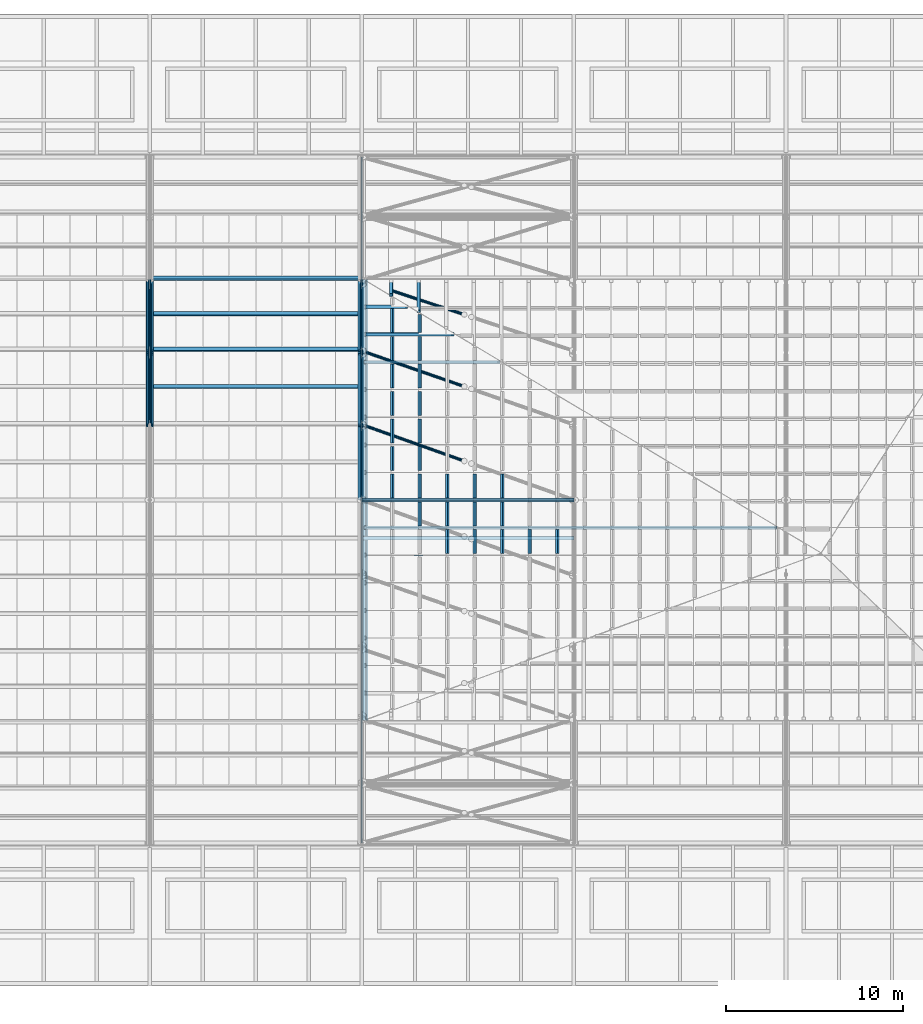
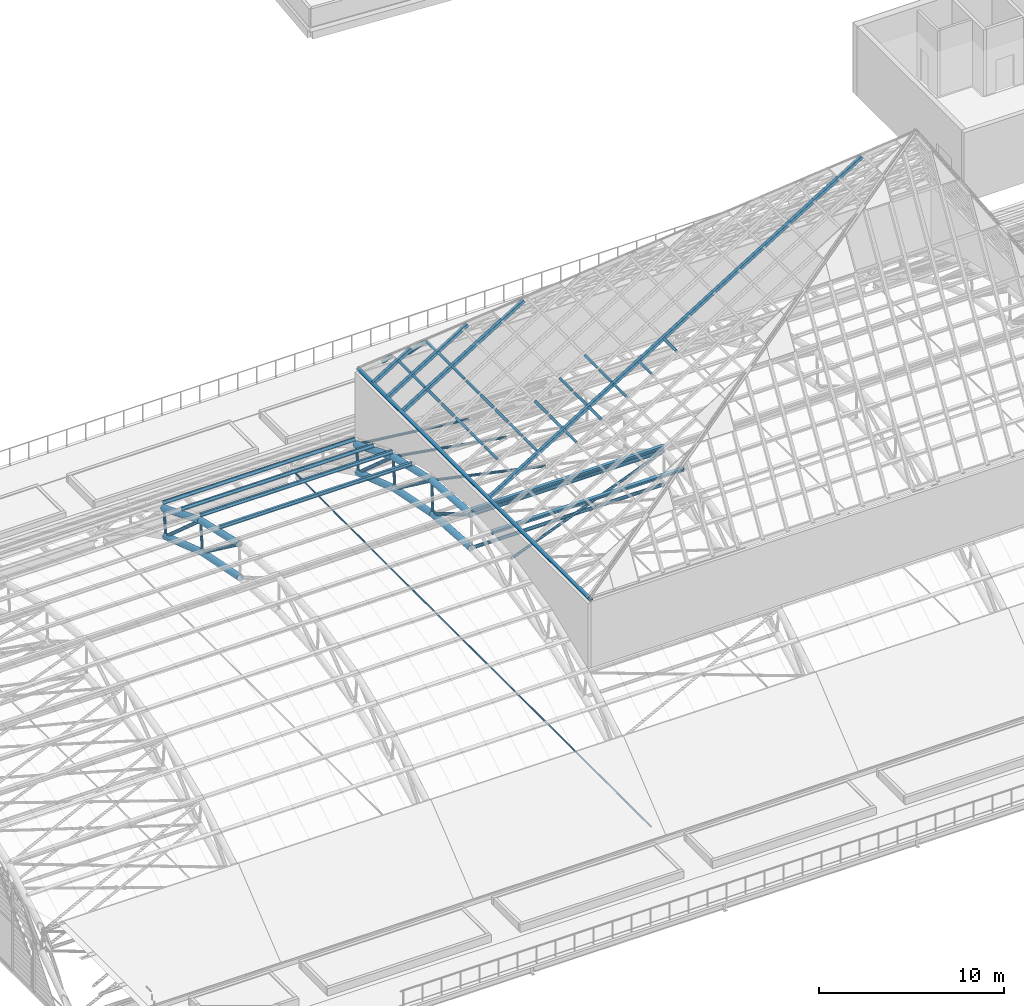
# One storey, part 20 of 110: 65 members, 1 beam.
"""IFC4 building model written with IfcOpenShell, lengths in metres."""

from ifc_helpers import new_model, si_unit, direction, frame, origin, origin_2d, place, context, subcontext, project, spatial, hollow_rectangle, circle, hollow_circle, i_section, extrude, material, material_profile, profile_set, type_object, element, save


model = new_model("IFC4")

# Units and contexts
model_context = context("Model", 3, precision=1e-05, world=origin(), true_north=direction((0.0, 1.0)))
body_context = subcontext(model_context, "Body", "Model", "MODEL_VIEW")
ifc_project = project(units=[si_unit("LENGTHUNIT", "METRE"), si_unit("AREAUNIT", "SQUARE_METRE"), si_unit("VOLUMEUNIT", "CUBIC_METRE"), si_unit("PLANEANGLEUNIT", "RADIAN"), si_unit("MASSUNIT", "GRAM", prefix="KILO")], contexts=[model_context])

# Site, building, storey
site_placement = place(None, origin())
site = spatial("IfcSite", under=ifc_project, at=site_placement, CompositionType="ELEMENT")
building_placement = place(site_placement, origin())
building = spatial("IfcBuilding", under=site, at=building_placement, Name="Windward Yard Aquatics Centre", CompositionType="ELEMENT")
storey_placement = place(building_placement, frame((0.0, 0.0, 22.60009765625)))
storey = spatial("IfcBuildingStorey", under=building, at=storey_placement, Name="L05", CompositionType="ELEMENT", Elevation=22.60009765625)

# Members
ifc_material_1 = material(Name="Steel ASTM A500 Gr C", Category="steel")
ifc_material_profile_1 = material_profile(ifc_material_1, hollow_circle(Radius=0.084228515625, WallThickness=0.010986328125, at=origin_2d()), Name="HSS168.3X11")
ifc_profile_set_1 = profile_set([ifc_material_profile_1], Name="Steel ASTM A500 Gr C")
member_type_1 = type_object("IfcMemberType", Name="H arch post HSS168.3X11", PredefinedType="POST", material=ifc_profile_set_1)
member_1_placement = place(storey_placement, frame((84.0, 69.249755859375, 5.5087890625), z_axis=(0.0, 0.094018625473, 0.995570438525), x_axis=(-1.0, 0.0, 0.0)))
element("IfcMember", 1, at=member_1_placement, inside=storey, type_object=member_type_1, Name="H.AT.3.WP08", PredefinedType="POST", context=body_context, shape_type="SweptSolid", body=[
    extrude(hollow_circle(Radius=0.084228515625, WallThickness=0.010986328125, at=origin_2d()), origin(), (0.0, 0.0, 1.0), 1.996826171875),
])
member_2_placement = place(storey_placement, frame((84.0, 73.197265625, 4.16650390625), z_axis=(0.0, 0.121591772527, 0.992580193664), x_axis=(-1.0, 0.0, 0.0)))
element("IfcMember", 2, at=member_2_placement, inside=storey, type_object=member_type_1, Name="H.AT.3.WP09", PredefinedType="POST", context=body_context, shape_type="SweptSolid", body=[
    extrude(hollow_circle(Radius=0.084228515625, WallThickness=0.010986328125, at=origin_2d()), origin(), (0.0, 0.0, 1.0), 1.746826171875),
])
member_3_placement = place(storey_placement, frame((96.0, 65.16064453125, 6.323486328125), z_axis=(0.0, 0.050215263417, 0.998738417865), x_axis=(-1.0, 0.0, 0.0)))
element("IfcMember", 3, at=member_3_placement, inside=storey, type_object=member_type_1, Name="H.AT.4.WP07", PredefinedType="POST", context=body_context, shape_type="SweptSolid", body=[
    extrude(hollow_circle(Radius=0.084228515625, WallThickness=0.010986328125, at=origin_2d()), origin(), (0.0, 0.0, 1.0), 2.14892578125),
])
member_4_placement = place(storey_placement, frame((96.0, 69.249755859375, 5.5087890625), z_axis=(0.0, 0.094018625473, 0.995570438525), x_axis=(-1.0, 0.0, 0.0)))
element("IfcMember", 4, at=member_4_placement, inside=storey, type_object=member_type_1, Name="H.AT.4.WP08", PredefinedType="POST", context=body_context, shape_type="SweptSolid", body=[
    extrude(hollow_circle(Radius=0.084228515625, WallThickness=0.010986328125, at=origin_2d()), origin(), (0.0, 0.0, 1.0), 1.996826171875),
])
member_5_placement = place(storey_placement, frame((96.0, 73.197265625, 4.16650390625), z_axis=(0.0, 0.121591772527, 0.992580193664), x_axis=(-1.0, 0.0, 0.0)))
element("IfcMember", 5, at=member_5_placement, inside=storey, type_object=member_type_1, Name="H.AT.4.WP09", PredefinedType="POST", context=body_context, shape_type="SweptSolid", body=[
    extrude(hollow_circle(Radius=0.084228515625, WallThickness=0.010986328125, at=origin_2d()), origin(), (0.0, 0.0, 1.0), 1.746826171875),
])
ifc_material_profile_2 = material_profile(ifc_material_1, hollow_circle(Radius=0.203125, WallThickness=0.015869140625, at=origin_2d()), Name="HSS406.4X15.9")
ifc_profile_set_2 = profile_set([ifc_material_profile_2], Name="Steel ASTM A500 Gr C")
member_type_2 = type_object("IfcMemberType", Name="H arch top chord HSS406.4X15.9", PredefinedType="CHORD", material=ifc_profile_set_2)
member_6_placement = place(storey_placement, frame((84.0, 65.2685546875, 8.4697265625), z_axis=(0.0, 0.973833637334, -0.227262066337), x_axis=(-1.0, 0.0, 0.0)))
element("IfcMember", 6, at=member_6_placement, inside=storey, type_object=member_type_2, Name="H.AT.3.TC07", PredefinedType="CHORD", context=body_context, shape_type="SweptSolid", body=[
    extrude(hollow_circle(Radius=0.203125, WallThickness=0.015869140625, at=origin_2d()), origin(), (0.0, 0.0, 1.0), 4.281005859375),
])
member_7_placement = place(storey_placement, frame((84.0, 65.16064453125, 6.323486328125), z_axis=(0.0, 0.980724544319, -0.195395414914), x_axis=(-1.0, 0.0, 0.0)))
element("IfcMember", 7, at=member_7_placement, inside=storey, type_object=member_type_2, Name="H.AT.3.BC07", PredefinedType="CHORD", context=body_context, shape_type="SweptSolid", body=[
    extrude(hollow_circle(Radius=0.203125, WallThickness=0.015869140625, at=origin_2d()), origin(), (0.0, 0.0, 1.0), 4.16943359375),
])
member_8_placement = place(storey_placement, frame((84.0, 69.4375, 7.496826171875), z_axis=(0.0, 0.92786581708, -0.372914233429), x_axis=(-1.0, 0.0, 0.0)))
element("IfcMember", 8, at=member_8_placement, inside=storey, type_object=member_type_2, Name="H.AT.3.TC08", PredefinedType="CHORD", context=body_context, shape_type="SweptSolid", body=[
    extrude(hollow_circle(Radius=0.203125, WallThickness=0.015869140625, at=origin_2d()), origin(), (0.0, 0.0, 1.0), 4.281005859375),
])
member_9_placement = place(storey_placement, frame((84.0, 69.249755859375, 5.5087890625), z_axis=(0.0, 0.946763107829, -0.321931075938), x_axis=(-1.0, 0.0, 0.0)))
element("IfcMember", 9, at=member_9_placement, inside=storey, type_object=member_type_2, Name="H.AT.3.BC08", PredefinedType="CHORD", context=body_context, shape_type="SweptSolid", body=[
    extrude(hollow_circle(Radius=0.203125, WallThickness=0.015869140625, at=origin_2d()), origin(), (0.0, 0.0, 1.0), 4.16943359375),
])
member_10_placement = place(storey_placement, frame((96.0, 61.0, 8.796630859375), z_axis=(0.0, 0.997080259355, -0.076360699341), x_axis=(-1.0, 0.0, 0.0)))
element("IfcMember", 10, at=member_10_placement, inside=storey, type_object=member_type_2, Name="H.AT.4.TC06", PredefinedType="CHORD", context=body_context, shape_type="SweptSolid", body=[
    extrude(hollow_circle(Radius=0.203125, WallThickness=0.015869140625, at=origin_2d()), origin(), (0.0, 0.0, 1.0), 4.281005859375),
])
member_11_placement = place(storey_placement, frame((96.0, 61.0, 6.5966796875), z_axis=(0.0, 0.997851241995, -0.065520217098), x_axis=(-1.0, 0.0, 0.0)))
element("IfcMember", 11, at=member_11_placement, inside=storey, type_object=member_type_2, Name="H.AT.4.BC06", PredefinedType="CHORD", context=body_context, shape_type="SweptSolid", body=[
    extrude(hollow_circle(Radius=0.203125, WallThickness=0.015869140625, at=origin_2d()), origin(), (0.0, 0.0, 1.0), 4.169677734375),
])
member_12_placement = place(storey_placement, frame((96.0, 65.2685546875, 8.4697265625), z_axis=(0.0, 0.973833637334, -0.227262066337), x_axis=(-1.0, 0.0, 0.0)))
element("IfcMember", 12, at=member_12_placement, inside=storey, type_object=member_type_2, Name="H.AT.4.TC07", PredefinedType="CHORD", context=body_context, shape_type="SweptSolid", body=[
    extrude(hollow_circle(Radius=0.203125, WallThickness=0.015869140625, at=origin_2d()), origin(), (0.0, 0.0, 1.0), 4.281005859375),
])
member_13_placement = place(storey_placement, frame((96.0, 65.16064453125, 6.323486328125), z_axis=(0.0, 0.980724544319, -0.195395414914), x_axis=(-1.0, 0.0, 0.0)))
element("IfcMember", 13, at=member_13_placement, inside=storey, type_object=member_type_2, Name="H.AT.4.BC07", PredefinedType="CHORD", context=body_context, shape_type="SweptSolid", body=[
    extrude(hollow_circle(Radius=0.203125, WallThickness=0.015869140625, at=origin_2d()), origin(), (0.0, 0.0, 1.0), 4.16943359375),
])
member_14_placement = place(storey_placement, frame((96.0, 69.4375, 7.496826171875), z_axis=(0.0, 0.92786581708, -0.372914233429), x_axis=(-1.0, 0.0, 0.0)))
element("IfcMember", 14, at=member_14_placement, inside=storey, type_object=member_type_2, Name="H.AT.4.TC08", PredefinedType="CHORD", context=body_context, shape_type="SweptSolid", body=[
    extrude(hollow_circle(Radius=0.203125, WallThickness=0.015869140625, at=origin_2d()), origin(), (0.0, 0.0, 1.0), 4.281005859375),
])
member_15_placement = place(storey_placement, frame((96.0, 69.249755859375, 5.5087890625), z_axis=(0.0, 0.946763107829, -0.321931075938), x_axis=(-1.0, 0.0, 0.0)))
element("IfcMember", 15, at=member_15_placement, inside=storey, type_object=member_type_2, Name="H.AT.4.BC08", PredefinedType="CHORD", context=body_context, shape_type="SweptSolid", body=[
    extrude(hollow_circle(Radius=0.203125, WallThickness=0.015869140625, at=origin_2d()), origin(), (0.0, 0.0, 1.0), 4.16943359375),
])
ifc_material_profile_3 = material_profile(ifc_material_1, hollow_circle(Radius=0.109619140625, WallThickness=0.00830078125, at=origin_2d()), Name="HSS219.1X8.2")
ifc_profile_set_3 = profile_set([ifc_material_profile_3], Name="Steel ASTM A500 Gr C")
member_type_3 = type_object("IfcMemberType", Name="H arch web diagonal HSS219.1X8.2", PredefinedType="BRACE", material=ifc_profile_set_3)
member_16_placement = place(storey_placement, frame((84.0, 65.2685546875, 8.4697265625), z_axis=(0.0, 0.802408568981, -0.596775073563), x_axis=(-1.0, 0.0, 0.0)))
element("IfcMember", 16, at=member_16_placement, inside=storey, type_object=member_type_3, Name="H.AT.3.WD07", PredefinedType="BRACE", context=body_context, shape_type="SweptSolid", body=[
    extrude(hollow_circle(Radius=0.109619140625, WallThickness=0.00830078125, at=origin_2d()), origin(), (0.0, 0.0, 1.0), 4.961669921875),
])
member_17_placement = place(storey_placement, frame((84.0, 69.4375, 7.496826171875), z_axis=(0.0, 0.748564053538, -0.663062484047), x_axis=(-1.0, 0.0, 0.0)))
element("IfcMember", 17, at=member_17_placement, inside=storey, type_object=member_type_3, Name="H.AT.3.WD08", PredefinedType="BRACE", context=body_context, shape_type="SweptSolid", body=[
    extrude(hollow_circle(Radius=0.109619140625, WallThickness=0.00830078125, at=origin_2d()), origin(), (0.0, 0.0, 1.0), 5.022705078125),
])
member_18_placement = place(storey_placement, frame((96.0, 61.0, 8.796630859375), z_axis=(0.0, 0.859604150376, -0.51096057055), x_axis=(-1.0, 0.0, 0.0)))
element("IfcMember", 18, at=member_18_placement, inside=storey, type_object=member_type_3, Name="H.AT.4.WD06", PredefinedType="BRACE", context=body_context, shape_type="SweptSolid", body=[
    extrude(hollow_circle(Radius=0.109619140625, WallThickness=0.00830078125, at=origin_2d()), origin(), (0.0, 0.0, 1.0), 4.840087890625),
])
member_19_placement = place(storey_placement, frame((96.0, 65.2685546875, 8.4697265625), z_axis=(0.0, 0.802408568981, -0.596775073563), x_axis=(-1.0, 0.0, 0.0)))
element("IfcMember", 19, at=member_19_placement, inside=storey, type_object=member_type_3, Name="H.AT.4.WD07", PredefinedType="BRACE", context=body_context, shape_type="SweptSolid", body=[
    extrude(hollow_circle(Radius=0.109619140625, WallThickness=0.00830078125, at=origin_2d()), origin(), (0.0, 0.0, 1.0), 4.961669921875),
])
member_20_placement = place(storey_placement, frame((96.0, 69.4375, 7.496826171875), z_axis=(0.0, 0.748564053538, -0.663062484047), x_axis=(-1.0, 0.0, 0.0)))
element("IfcMember", 20, at=member_20_placement, inside=storey, type_object=member_type_3, Name="H.AT.4.WD08", PredefinedType="BRACE", context=body_context, shape_type="SweptSolid", body=[
    extrude(hollow_circle(Radius=0.109619140625, WallThickness=0.00830078125, at=origin_2d()), origin(), (0.0, 0.0, 1.0), 5.022705078125),
])

# Beam
ifc_material_2 = material(Name="Steel ASTM A992 Gr 50", Category="steel")
ifc_material_profile_4 = material_profile(ifc_material_2, i_section(OverallWidth=0.202880859375, OverallDepth=0.302001953125, WebThickness=0.007568359375, FlangeThickness=0.01318359375, at=origin_2d()), Name="W310X60")
ifc_profile_set_4 = profile_set([ifc_material_profile_4], Name="Steel ASTM A992 Gr 50")
beam_type = type_object("IfcBeamType", Name="H lantern eave beam W310X60", PredefinedType="BEAM", material=ifc_profile_set_4)
beam_placement = place(storey_placement, frame((96.1982421875, 73.489501953125, 10.735107421875), z_axis=(0.0, -1.0, 0.0), x_axis=(0.850755160219, 0.0, 0.525562229771)))
element("IfcBeam", 21, at=beam_placement, inside=storey, type_object=beam_type, Name="H.LN.E.04", PredefinedType="BEAM", context=body_context, shape_type="SweptSolid", body=[
    extrude(i_section(OverallWidth=0.202880859375, OverallDepth=0.302001953125, WebThickness=0.007568359375, FlangeThickness=0.01318359375, at=origin_2d()), origin(), (0.0, 0.0, 1.0), 24.97900390625),
])

# Members
ifc_material_profile_5 = material_profile(ifc_material_1, hollow_rectangle(XDim=0.15234375, YDim=0.15234375, WallThickness=0.009521484375, InnerFilletRadius=0.004638671875, OuterFilletRadius=0.01416015625, at=origin_2d()), Name="HSS152X152X9.5")
ifc_profile_set_5 = profile_set([ifc_material_profile_5], Name="Steel ASTM A500 Gr C")
member_type_4 = type_object("IfcMemberType", Name="H lantern purlin HSS152X152X9.5", PredefinedType="PURLIN", material=ifc_profile_set_5)
member_21_placement = place(storey_placement, frame((97.715576171875, 61.1015625, 11.76025390625), z_axis=(0.0, 1.0, 0.0), x_axis=(-0.850755160219, 0.0, -0.525562229771)))
element("IfcMember", 22, at=member_21_placement, inside=storey, type_object=member_type_4, Name="H.LN.U.04.01.09", PredefinedType="PURLIN", context=body_context, shape_type="SweptSolid", body=[
    extrude(hollow_rectangle(XDim=0.15234375, YDim=0.15234375, WallThickness=0.009521484375, InnerFilletRadius=0.004638671875, OuterFilletRadius=0.01416015625, at=origin_2d()), origin(), (0.0, 0.0, 1.0), 1.358154296875),
])
member_22_placement = place(storey_placement, frame((97.715576171875, 62.662841796875, 11.76025390625), z_axis=(0.0, 1.0, 0.0), x_axis=(-0.850755160219, 0.0, -0.525562229771)))
element("IfcMember", 23, at=member_22_placement, inside=storey, type_object=member_type_4, Name="H.LN.U.04.01.10", PredefinedType="PURLIN", context=body_context, shape_type="SweptSolid", body=[
    extrude(hollow_rectangle(XDim=0.15234375, YDim=0.15234375, WallThickness=0.009521484375, InnerFilletRadius=0.004638671875, OuterFilletRadius=0.01416015625, at=origin_2d()), origin(), (0.0, 0.0, 1.0), 1.35791015625),
])
member_23_placement = place(storey_placement, frame((97.715576171875, 64.22412109375, 11.76025390625), z_axis=(0.0, 1.0, 0.0), x_axis=(-0.850755160219, 0.0, -0.525562229771)))
element("IfcMember", 24, at=member_23_placement, inside=storey, type_object=member_type_4, Name="H.LN.U.04.01.11", PredefinedType="PURLIN", context=body_context, shape_type="SweptSolid", body=[
    extrude(hollow_rectangle(XDim=0.15234375, YDim=0.15234375, WallThickness=0.009521484375, InnerFilletRadius=0.004638671875, OuterFilletRadius=0.01416015625, at=origin_2d()), origin(), (0.0, 0.0, 1.0), 1.357666015625),
])
member_24_placement = place(storey_placement, frame((97.715576171875, 65.78515625, 11.76025390625), z_axis=(0.0, 1.0, 0.0), x_axis=(-0.850755160219, 0.0, -0.525562229771)))
element("IfcMember", 25, at=member_24_placement, inside=storey, type_object=member_type_4, Name="H.LN.U.04.01.12", PredefinedType="PURLIN", context=body_context, shape_type="SweptSolid", body=[
    extrude(hollow_rectangle(XDim=0.15234375, YDim=0.15234375, WallThickness=0.009521484375, InnerFilletRadius=0.004638671875, OuterFilletRadius=0.01416015625, at=origin_2d()), origin(), (0.0, 0.0, 1.0), 1.35791015625),
])
member_25_placement = place(storey_placement, frame((97.715576171875, 67.34619140625, 11.76025390625), z_axis=(0.0, 1.0, 0.0), x_axis=(-0.850755160219, 0.0, -0.525562229771)))
element("IfcMember", 26, at=member_25_placement, inside=storey, type_object=member_type_4, Name="H.LN.U.04.01.13", PredefinedType="PURLIN", context=body_context, shape_type="SweptSolid", body=[
    extrude(hollow_rectangle(XDim=0.15234375, YDim=0.15234375, WallThickness=0.009521484375, InnerFilletRadius=0.004638671875, OuterFilletRadius=0.01416015625, at=origin_2d()), origin(), (0.0, 0.0, 1.0), 1.358154296875),
])
for number, where, z_axis, x_axis, name in (
    (27, (97.715576171875, 68.907470703125, 11.76025390625), (0.0, 1.0, 0.0), (-0.850755160219, 0.0, -0.525562229771), "H.LN.U.04.01.14"),
    (28, (97.715576171875, 70.46875, 11.76025390625), (0.0, 1.0, 0.0), (-0.850755160219, 0.0, -0.525562229771), "H.LN.U.04.01.15"),
):
    element("IfcMember", number, at=place(storey_placement, frame(where, z_axis=z_axis, x_axis=x_axis)), inside=storey, type_object=member_type_4, Name=name, PredefinedType="PURLIN", context=body_context, shape_type="SweptSolid", body=[
        extrude(hollow_rectangle(XDim=0.15234375, YDim=0.15234375, WallThickness=0.009521484375, InnerFilletRadius=0.004638671875, OuterFilletRadius=0.01416015625, at=origin_2d()), origin(), (0.0, 0.0, 1.0), 1.35791015625),
    ])
for number, where, z_axis, x_axis, name in (
    (29, (99.27197265625, 59.540283203125, 12.721923828125), (0.0, 1.0, 0.0), (-0.850755160219, 0.0, -0.525562229771), "H.LN.U.04.02.08"),
    (30, (99.27197265625, 61.1015625, 12.721923828125), (0.0, 1.0, 0.0), (-0.850755160219, 0.0, -0.525562229771), "H.LN.U.04.02.09"),
):
    element("IfcMember", number, at=place(storey_placement, frame(where, z_axis=z_axis, x_axis=x_axis)), inside=storey, type_object=member_type_4, Name=name, PredefinedType="PURLIN", context=body_context, shape_type="SweptSolid", body=[
        extrude(hollow_rectangle(XDim=0.15234375, YDim=0.15234375, WallThickness=0.009521484375, InnerFilletRadius=0.004638671875, OuterFilletRadius=0.01416015625, at=origin_2d()), origin(), (0.0, 0.0, 1.0), 1.358154296875),
    ])
member_26_placement = place(storey_placement, frame((99.27197265625, 62.662841796875, 12.721923828125), z_axis=(0.0, 1.0, 0.0), x_axis=(-0.850755160219, 0.0, -0.525562229771)))
element("IfcMember", 31, at=member_26_placement, inside=storey, type_object=member_type_4, Name="H.LN.U.04.02.10", PredefinedType="PURLIN", context=body_context, shape_type="SweptSolid", body=[
    extrude(hollow_rectangle(XDim=0.15234375, YDim=0.15234375, WallThickness=0.009521484375, InnerFilletRadius=0.004638671875, OuterFilletRadius=0.01416015625, at=origin_2d()), origin(), (0.0, 0.0, 1.0), 1.35791015625),
])
member_27_placement = place(storey_placement, frame((99.27197265625, 64.22412109375, 12.721923828125), z_axis=(0.0, 1.0, 0.0), x_axis=(-0.850755160219, 0.0, -0.525562229771)))
element("IfcMember", 32, at=member_27_placement, inside=storey, type_object=member_type_4, Name="H.LN.U.04.02.11", PredefinedType="PURLIN", context=body_context, shape_type="SweptSolid", body=[
    extrude(hollow_rectangle(XDim=0.15234375, YDim=0.15234375, WallThickness=0.009521484375, InnerFilletRadius=0.004638671875, OuterFilletRadius=0.01416015625, at=origin_2d()), origin(), (0.0, 0.0, 1.0), 1.357666015625),
])
member_28_placement = place(storey_placement, frame((99.27197265625, 65.78515625, 12.721923828125), z_axis=(0.0, 1.0, 0.0), x_axis=(-0.850755160219, 0.0, -0.525562229771)))
element("IfcMember", 33, at=member_28_placement, inside=storey, type_object=member_type_4, Name="H.LN.U.04.02.12", PredefinedType="PURLIN", context=body_context, shape_type="SweptSolid", body=[
    extrude(hollow_rectangle(XDim=0.15234375, YDim=0.15234375, WallThickness=0.009521484375, InnerFilletRadius=0.004638671875, OuterFilletRadius=0.01416015625, at=origin_2d()), origin(), (0.0, 0.0, 1.0), 1.35791015625),
])
member_29_placement = place(storey_placement, frame((99.27197265625, 67.34619140625, 12.721923828125), z_axis=(0.0, 1.0, 0.0), x_axis=(-0.850755160219, 0.0, -0.525562229771)))
element("IfcMember", 34, at=member_29_placement, inside=storey, type_object=member_type_4, Name="H.LN.U.04.02.13", PredefinedType="PURLIN", context=body_context, shape_type="SweptSolid", body=[
    extrude(hollow_rectangle(XDim=0.15234375, YDim=0.15234375, WallThickness=0.009521484375, InnerFilletRadius=0.004638671875, OuterFilletRadius=0.01416015625, at=origin_2d()), origin(), (0.0, 0.0, 1.0), 1.358154296875),
])
member_30_placement = place(storey_placement, frame((99.27197265625, 68.907470703125, 12.721923828125), z_axis=(0.0, 1.0, 0.0), x_axis=(-0.850755160219, 0.0, -0.525562229771)))
element("IfcMember", 35, at=member_30_placement, inside=storey, type_object=member_type_4, Name="H.LN.U.04.02.14", PredefinedType="PURLIN", context=body_context, shape_type="SweptSolid", body=[
    extrude(hollow_rectangle(XDim=0.15234375, YDim=0.15234375, WallThickness=0.009521484375, InnerFilletRadius=0.004638671875, OuterFilletRadius=0.01416015625, at=origin_2d()), origin(), (0.0, 0.0, 1.0), 1.35791015625),
])
member_31_placement = place(storey_placement, frame((99.27197265625, 70.46875, 12.721923828125), z_axis=(0.0, 1.0, 0.0), x_axis=(-0.850755160219, 0.0, -0.525562229771)))
element("IfcMember", 36, at=member_31_placement, inside=storey, type_object=member_type_4, Name="H.LN.U.04.02.15", PredefinedType="PURLIN", context=body_context, shape_type="SweptSolid", body=[
    extrude(hollow_rectangle(XDim=0.15234375, YDim=0.15234375, WallThickness=0.009521484375, InnerFilletRadius=0.004638671875, OuterFilletRadius=0.01416015625, at=origin_2d()), origin(), (0.0, 0.0, 1.0), 1.017333984375),
])
member_32_placement = place(storey_placement, frame((100.82861328125, 57.979248046875, 13.68359375), z_axis=(0.0, 1.0, 0.0), x_axis=(-0.850755160219, 0.0, -0.525562229771)))
element("IfcMember", 37, at=member_32_placement, inside=storey, type_object=member_type_4, Name="H.LN.U.04.03.06", PredefinedType="PURLIN", context=body_context, shape_type="SweptSolid", body=[
    extrude(hollow_rectangle(XDim=0.15234375, YDim=0.15234375, WallThickness=0.009521484375, InnerFilletRadius=0.004638671875, OuterFilletRadius=0.01416015625, at=origin_2d()), origin(), (0.0, 0.0, 1.0), 1.35791015625),
])
for number, where, z_axis, x_axis, name in (
    (38, (100.82861328125, 59.540283203125, 13.68359375), (0.0, 1.0, 0.0), (-0.850755160219, 0.0, -0.525562229771), "H.LN.U.04.03.07"),
    (39, (100.82861328125, 61.1015625, 13.68359375), (0.0, 1.0, 0.0), (-0.850755160219, 0.0, -0.525562229771), "H.LN.U.04.03.08"),
):
    element("IfcMember", number, at=place(storey_placement, frame(where, z_axis=z_axis, x_axis=x_axis)), inside=storey, type_object=member_type_4, Name=name, PredefinedType="PURLIN", context=body_context, shape_type="SweptSolid", body=[
        extrude(hollow_rectangle(XDim=0.15234375, YDim=0.15234375, WallThickness=0.009521484375, InnerFilletRadius=0.004638671875, OuterFilletRadius=0.01416015625, at=origin_2d()), origin(), (0.0, 0.0, 1.0), 1.358154296875),
    ])
member_33_placement = place(storey_placement, frame((102.385009765625, 57.979248046875, 14.64501953125), z_axis=(0.0, 1.0, 0.0), x_axis=(-0.850755160219, 0.0, -0.525562229771)))
element("IfcMember", 40, at=member_33_placement, inside=storey, type_object=member_type_4, Name="H.LN.U.04.04.06", PredefinedType="PURLIN", context=body_context, shape_type="SweptSolid", body=[
    extrude(hollow_rectangle(XDim=0.15234375, YDim=0.15234375, WallThickness=0.009521484375, InnerFilletRadius=0.004638671875, OuterFilletRadius=0.01416015625, at=origin_2d()), origin(), (0.0, 0.0, 1.0), 1.35791015625),
])
for number, where, z_axis, x_axis, name in (
    (41, (102.385009765625, 59.540283203125, 14.64501953125), (0.0, 1.0, 0.0), (-0.850755160219, 0.0, -0.525562229771), "H.LN.U.04.04.07"),
    (42, (102.385009765625, 61.1015625, 14.64501953125), (0.0, 1.0, 0.0), (-0.850755160219, 0.0, -0.525562229771), "H.LN.U.04.04.08"),
):
    element("IfcMember", number, at=place(storey_placement, frame(where, z_axis=z_axis, x_axis=x_axis)), inside=storey, type_object=member_type_4, Name=name, PredefinedType="PURLIN", context=body_context, shape_type="SweptSolid", body=[
        extrude(hollow_rectangle(XDim=0.15234375, YDim=0.15234375, WallThickness=0.009521484375, InnerFilletRadius=0.004638671875, OuterFilletRadius=0.01416015625, at=origin_2d()), origin(), (0.0, 0.0, 1.0), 1.358154296875),
    ])
member_34_placement = place(storey_placement, frame((103.941650390625, 57.979248046875, 15.606689453125), z_axis=(0.0, 1.0, 0.0), x_axis=(-0.850755160219, 0.0, -0.525562229771)))
element("IfcMember", 43, at=member_34_placement, inside=storey, type_object=member_type_4, Name="H.LN.U.04.05.06", PredefinedType="PURLIN", context=body_context, shape_type="SweptSolid", body=[
    extrude(hollow_rectangle(XDim=0.15234375, YDim=0.15234375, WallThickness=0.009521484375, InnerFilletRadius=0.004638671875, OuterFilletRadius=0.01416015625, at=origin_2d()), origin(), (0.0, 0.0, 1.0), 1.35791015625),
])
for number, where, z_axis, x_axis, name in (
    (44, (103.941650390625, 59.540283203125, 15.606689453125), (0.0, 1.0, 0.0), (-0.850755160219, 0.0, -0.525562229771), "H.LN.U.04.05.07"),
    (45, (103.941650390625, 61.1015625, 15.606689453125), (0.0, 1.0, 0.0), (-0.850755160219, 0.0, -0.525562229771), "H.LN.U.04.05.08"),
):
    element("IfcMember", number, at=place(storey_placement, frame(where, z_axis=z_axis, x_axis=x_axis)), inside=storey, type_object=member_type_4, Name=name, PredefinedType="PURLIN", context=body_context, shape_type="SweptSolid", body=[
        extrude(hollow_rectangle(XDim=0.15234375, YDim=0.15234375, WallThickness=0.009521484375, InnerFilletRadius=0.004638671875, OuterFilletRadius=0.01416015625, at=origin_2d()), origin(), (0.0, 0.0, 1.0), 1.358154296875),
    ])
for number, where, z_axis, x_axis, name in (
    (46, (105.498046875, 57.979248046875, 16.568115234375), (0.0, 1.0, 0.0), (-0.850755160219, 0.0, -0.525562229771), "H.LN.U.04.06.05"),
    (47, (107.0546875, 57.979248046875, 17.52978515625), (0.0, 1.0, 0.0), (-0.850755160219, 0.0, -0.525562229771), "H.LN.U.04.07.05"),
):
    element("IfcMember", number, at=place(storey_placement, frame(where, z_axis=z_axis, x_axis=x_axis)), inside=storey, type_object=member_type_4, Name=name, PredefinedType="PURLIN", context=body_context, shape_type="SweptSolid", body=[
        extrude(hollow_rectangle(XDim=0.15234375, YDim=0.15234375, WallThickness=0.009521484375, InnerFilletRadius=0.004638671875, OuterFilletRadius=0.01416015625, at=origin_2d()), origin(), (0.0, 0.0, 1.0), 1.35791015625),
    ])
ifc_material_profile_6 = material_profile(ifc_material_1, hollow_rectangle(XDim=0.203125, YDim=0.203125, WallThickness=0.009521484375, InnerFilletRadius=0.004638671875, OuterFilletRadius=0.01416015625, at=origin_2d()), Name="HSS203X203X9.5")
ifc_profile_set_6 = profile_set([ifc_material_profile_6], Name="Steel ASTM A500 Gr C")
member_type_5 = type_object("IfcMemberType", Name="H lantern rafter HSS203X203X9.5", PredefinedType="RAFTER", material=ifc_profile_set_6)
member_35_placement = place(storey_placement, frame((97.656494140625, 73.390625, 10.798583984375), z_axis=(0.0, -0.695611358841, 0.718418288639), x_axis=(1.0, 0.0, 0.0)))
element("IfcMember", 48, at=member_35_placement, inside=storey, type_object=member_type_5, Name="H.LN.R.03.01", PredefinedType="RAFTER", context=body_context, shape_type="SweptSolid", body=[
    extrude(hollow_rectangle(XDim=0.203125, YDim=0.203125, WallThickness=0.009521484375, InnerFilletRadius=0.004638671875, OuterFilletRadius=0.01416015625, at=origin_2d()), origin(), (0.0, 0.0, 1.0), 1.134765625),
])
member_36_placement = place(storey_placement, frame((99.212890625, 73.390625, 10.798583984375), z_axis=(0.0, -0.695612167636, 0.718417505519), x_axis=(1.0, 0.0, 0.0)))
element("IfcMember", 49, at=member_36_placement, inside=storey, type_object=member_type_5, Name="H.LN.R.03.02", PredefinedType="RAFTER", context=body_context, shape_type="SweptSolid", body=[
    extrude(hollow_rectangle(XDim=0.203125, YDim=0.203125, WallThickness=0.009521484375, InnerFilletRadius=0.004638671875, OuterFilletRadius=0.01416015625, at=origin_2d()), origin(), (0.0, 0.0, 1.0), 2.472900390625),
])
member_37_placement = place(storey_placement, frame((96.17236328125, 59.438720703125, 10.777099609375), z_axis=(0.850752781208, 0.0, 0.525566080781), x_axis=(0.0, 1.0, 0.0)))
element("IfcMember", 50, at=member_37_placement, inside=storey, type_object=member_type_5, Name="H.LN.R.04.07", PredefinedType="RAFTER", context=body_context, shape_type="SweptSolid", body=[
    extrude(hollow_rectangle(XDim=0.203125, YDim=0.203125, WallThickness=0.009521484375, InnerFilletRadius=0.004638671875, OuterFilletRadius=0.01416015625, at=origin_2d()), origin(), (0.0, 0.0, 1.0), 27.337158203125),
])
member_38_placement = place(storey_placement, frame((96.17236328125, 68.805908203125, 10.777099609375), z_axis=(0.850750882112, 0.0, 0.525569154903), x_axis=(0.0, 1.0, 0.0)))
element("IfcMember", 51, at=member_38_placement, inside=storey, type_object=member_type_5, Name="H.LN.R.04.13", PredefinedType="RAFTER", context=body_context, shape_type="SweptSolid", body=[
    extrude(hollow_rectangle(XDim=0.203125, YDim=0.203125, WallThickness=0.009521484375, InnerFilletRadius=0.004638671875, OuterFilletRadius=0.01416015625, at=origin_2d()), origin(), (0.0, 0.0, 1.0), 8.9267578125),
])
member_39_placement = place(storey_placement, frame((96.17236328125, 70.3671875, 10.777099609375), z_axis=(0.850735519307, 0.0, 0.525594022215), x_axis=(0.0, 1.0, 0.0)))
element("IfcMember", 52, at=member_39_placement, inside=storey, type_object=member_type_5, Name="H.LN.R.04.14", PredefinedType="RAFTER", context=body_context, shape_type="SweptSolid", body=[
    extrude(hollow_rectangle(XDim=0.203125, YDim=0.203125, WallThickness=0.009521484375, InnerFilletRadius=0.004638671875, OuterFilletRadius=0.01416015625, at=origin_2d()), origin(), (0.0, 0.0, 1.0), 5.8583984375),
])
member_40_placement = place(storey_placement, frame((96.17236328125, 71.92822265625, 10.777099609375), z_axis=(0.850749664535, 0.0, 0.525571125818), x_axis=(0.0, 1.0, 0.0)))
element("IfcMember", 53, at=member_40_placement, inside=storey, type_object=member_type_5, Name="H.LN.R.04.15", PredefinedType="RAFTER", context=body_context, shape_type="SweptSolid", body=[
    extrude(hollow_rectangle(XDim=0.203125, YDim=0.203125, WallThickness=0.009521484375, InnerFilletRadius=0.004638671875, OuterFilletRadius=0.01416015625, at=origin_2d()), origin(), (0.0, 0.0, 1.0), 2.7900390625),
])
ifc_material_profile_7 = material_profile(ifc_material_1, hollow_circle(Radius=0.084228515625, WallThickness=0.007080078125, at=origin_2d()), Name="HSS168.3X7.1")
ifc_profile_set_7 = profile_set([ifc_material_profile_7], Name="Steel ASTM A500 Gr C")
member_type_6 = type_object("IfcMemberType", Name="H roof brace HSS168.3X7.1", PredefinedType="BRACE", material=ifc_profile_set_7)
member_41_placement = place(storey_placement, frame((96.0, 56.7314453125, 8.4697265625), z_axis=(0.941857706395, 0.335030927299, 0.025658110939), x_axis=(-0.335141263687, 0.942167890227, 0.0)))
element("IfcMember", 54, at=member_41_placement, inside=storey, type_object=member_type_6, Name="H.RB.4.T05A", PredefinedType="BRACE", context=body_context, shape_type="SweptSolid", body=[
    extrude(hollow_circle(Radius=0.084228515625, WallThickness=0.007080078125, at=origin_2d()), origin(), (0.0, 0.0, 1.0), 12.74072265625),
])
for number, where, z_axis, x_axis, name in (
    (55, (96.0, 65.2685546875, 8.4697265625), (0.941856232178, -0.335033946384, 0.025672800363), (0.335144410202, 0.942166770965, 0.0), "H.RB.4.T06B1"),
    (56, (96.0, 69.4375, 7.496826171875), (0.941854737477, -0.327230144292, 0.07635500088), (0.328188225573, 0.944612348318, 0.0), "H.RB.4.T07B1"),
    (57, (96.0, 73.40966796875, 5.900390625), (0.941853728826, -0.311779335006, 0.125320388442), (0.314256834084, 0.9493380021, 0.0), "H.RB.4.T08B1"),
):
    element("IfcMember", number, at=place(storey_placement, frame(where, z_axis=z_axis, x_axis=x_axis)), inside=storey, type_object=member_type_6, Name=name, PredefinedType="BRACE", context=body_context, shape_type="SweptSolid", body=[
        extrude(hollow_circle(Radius=0.084228515625, WallThickness=0.007080078125, at=origin_2d()), origin(), (0.0, 0.0, 1.0), 6.25732421875),
    ])
ifc_material_profile_8 = material_profile(ifc_material_2, i_section(OverallWidth=0.202880859375, OverallDepth=0.202880859375, WebThickness=0.00732421875, FlangeThickness=0.010986328125, at=origin_2d()), Name="W200X46.1")
ifc_profile_set_8 = profile_set([ifc_material_profile_8], Name="Steel ASTM A992 Gr 50")
member_type_7 = type_object("IfcMemberType", Name="H roof purlin W200X46.1", PredefinedType="PURLIN", material=ifc_profile_set_8)
for number, where, z_axis, x_axis, name in (
    (58, (84.0, 67.422119140625, 8.280029296875), (1.0, 0.0, 0.0), (0.0, 0.973829299376, -0.227280653986), "H.PU.3.14"),
    (59, (84.0, 69.529052734375, 7.787353515625), (1.0, 0.0, 0.0), (0.0, 0.953632764452, -0.300972674115), "H.PU.3.15"),
    (60, (84.0, 71.537109375, 6.9814453125), (1.0, 0.0, 0.0), (0.0, 0.927868526784, -0.372907491214), "H.PU.3.16"),
    (61, (84.0, 73.54443359375, 6.173583984375), (1.0, 0.0, 0.0), (0.0, 0.896687008655, -0.44266512005), "H.PU.3.17"),
    (62, (96.0, 58.842529296875, 8.93701171875), (1.0, 0.0, 0.0), (0.0, 0.997080793073, 0.076353729998), "H.PU.4.10"),
    (63, (96.0, 61.0, 9.101318359375), (1.0, 0.0, 0.0), (0.0, 1.0, 0.0), "H.PU.4.11"),
):
    element("IfcMember", number, at=place(storey_placement, frame(where, z_axis=z_axis, x_axis=x_axis)), inside=storey, type_object=member_type_7, Name=name, PredefinedType="PURLIN", context=body_context, shape_type="SweptSolid", body=[
        extrude(i_section(OverallWidth=0.202880859375, OverallDepth=0.202880859375, WebThickness=0.00732421875, FlangeThickness=0.010986328125, at=origin_2d()), origin(), (0.0, 0.0, 1.0), 12.0),
    ])
ifc_material_profile_9 = material_profile(ifc_material_1, hollow_circle(Radius=0.109619140625, WallThickness=0.00830078125, at=origin_2d()), Name="HSS219.1X8.2")
ifc_profile_set_9 = profile_set([ifc_material_profile_9], Name="Steel ASTM A500 Gr C")
member_type_8 = type_object("IfcMemberType", Name="H roof strut HSS219.1X8.2", PredefinedType="STRUT", material=ifc_profile_set_9)
for number, where, z_axis, x_axis, name in (
    (64, (96.0, 61.0, 8.796630859375), (1.0, 0.0, 0.0), (0.0, 1.0, 0.0), "H.RS.4.T06"),
    (65, (96.0, 61.0, 6.5966796875), (1.0, 0.0, 0.0), (0.0, 1.0, 0.0), "H.RS.4.B06"),
):
    element("IfcMember", number, at=place(storey_placement, frame(where, z_axis=z_axis, x_axis=x_axis)), inside=storey, type_object=member_type_8, Name=name, PredefinedType="STRUT", context=body_context, shape_type="SweptSolid", body=[
        extrude(hollow_circle(Radius=0.109619140625, WallThickness=0.00830078125, at=origin_2d()), origin(), (0.0, 0.0, 1.0), 12.0),
    ])
ifc_material_3 = material(Name="Steel ASTM A36", Category="steel")
ifc_material_profile_10 = material_profile(ifc_material_3, circle(Radius=0.0380859375, at=origin_2d()), Name="ROD76")
ifc_profile_set_10 = profile_set([ifc_material_profile_10], Name="Steel ASTM A36")
member_type_9 = type_object("IfcMemberType", Name="H tie rod ROD76", PredefinedType="STRUT", material=ifc_profile_set_10)
member_42_placement = place(storey_placement, frame((96.0, 41.60009765625, 0.0), z_axis=(0.0, 1.0, 0.0), x_axis=(-1.0, 0.0, 0.0)))
element("IfcMember", 66, at=member_42_placement, inside=storey, type_object=member_type_9, Name="H.AT.4.TR", PredefinedType="STRUT", context=body_context, shape_type="SweptSolid", body=[
    extrude(circle(Radius=0.0380859375, at=origin_2d()), origin(), (0.0, 0.0, 1.0), 38.7998046875),
])

save(model, "model.ifc")
